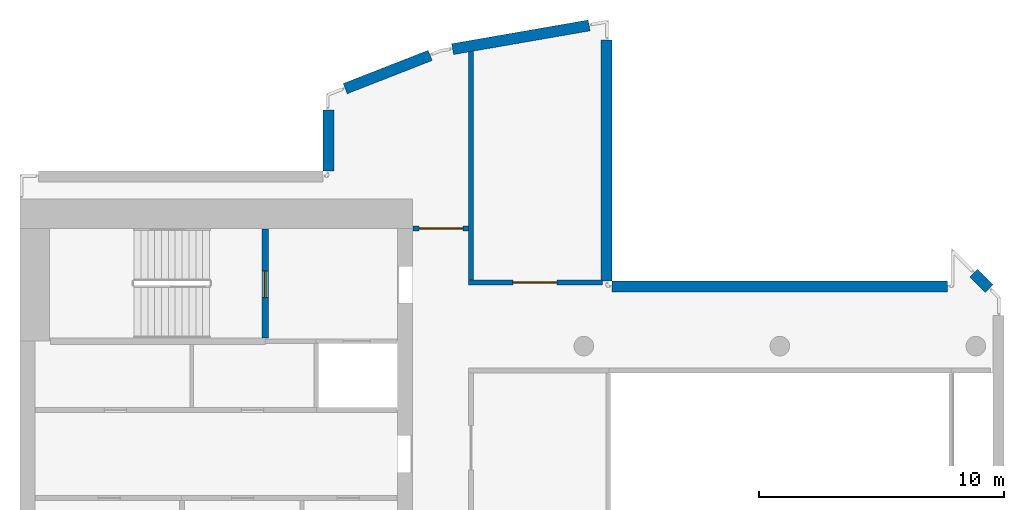
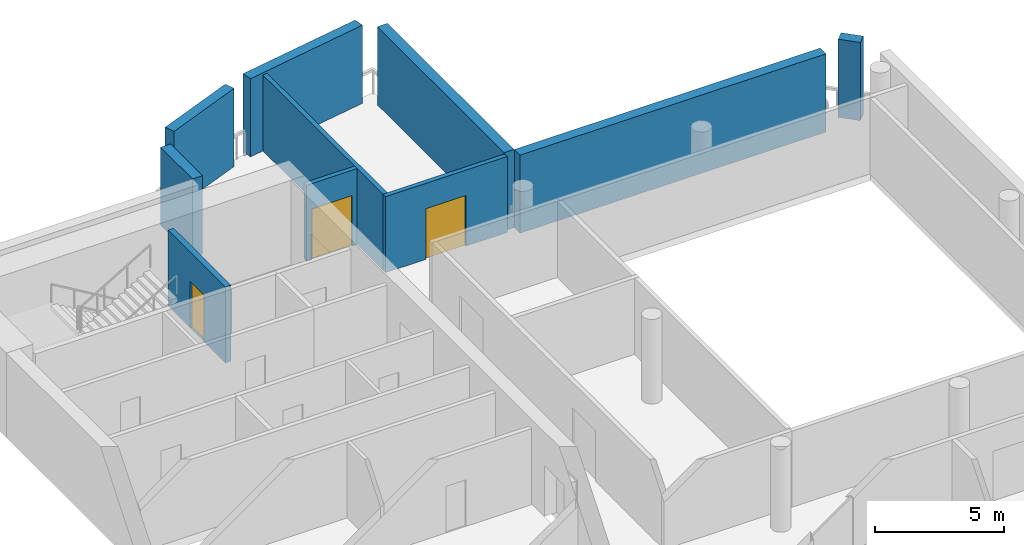
# One storey, part 3 of 8: 10 walls, 3 doors, 3 openings.
"""IFC4 building model written with IfcOpenShell, lengths in metres."""

from ifc_helpers import new_model, si_unit, direction, frame, frame_2d, origin, place, context, subcontext, project, spatial, rectangle, extrude, material, layer, layer_set, type_object, element, fill, save


model = new_model("IFC4")

# Units and contexts
model_context = context("Model", 3, precision=1e-05, world=origin(), true_north=direction((0.0, 1.0)))
body_context = subcontext(model_context, "Body", "Model", "MODEL_VIEW")
ifc_project = project(units=[si_unit("LENGTHUNIT", "METRE"), si_unit("AREAUNIT", "SQUARE_METRE"), si_unit("VOLUMEUNIT", "CUBIC_METRE"), si_unit("PLANEANGLEUNIT", "RADIAN"), si_unit("MASSUNIT", "GRAM", prefix="KILO")], contexts=[model_context])

# Site, building, storey
site_placement = place(None, origin())
site = spatial("IfcSite", under=ifc_project, at=site_placement, CompositionType="ELEMENT")
building_placement = place(site_placement, origin())
building = spatial("IfcBuilding", under=site, at=building_placement, Name="Cypress Arch Tower", CompositionType="ELEMENT")
storey_placement = place(building_placement, frame((0.0, 0.0, 351.0)))
storey = spatial("IfcBuildingStorey", under=building, at=storey_placement, Name="L80", CompositionType="ELEMENT", Elevation=351.0)

# Walls
ifc_material_1 = material(Name="Brick (red buff blend)", Category="masonry")
ifc_layer_1 = layer(ifc_material_1, 0.449951171875)
ifc_layer_set_1 = layer_set([ifc_layer_1], Name="Brick belt wall BW450-B")
wall_type_1 = type_object("IfcWallType", Name="Brick belt wall BW450-B", PredefinedType="SOLIDWALL", material=ifc_layer_set_1)
wall_1_placement = place(storey_placement, frame((9.541015625, 12.35302734375, 0.0), z_axis=(0.0, 0.0, 1.0), x_axis=(-0.707106781187, 0.707106781187, 0.0)))
element("IfcWall", 1, at=wall_1_placement, inside=storey, type_object=wall_type_1, Name="Brick wall L80 K11.0", PredefinedType="SOLIDWALL", context=body_context, shape_type="SweptSolid", body=[
    extrude(rectangle(XDim=0.8935546875, YDim=0.449951171875, at=frame_2d((0.44677734375, 0.0))), origin(), (0.0, 0.0, 1.0), 3.699951171875),
])
wall_2_placement = place(storey_placement, frame((7.85009765625, 12.425048828125, 0.0), z_axis=(0.0, 0.0, 1.0), x_axis=(-1.0, 0.0, 0.0)))
element("IfcWall", 2, at=wall_2_placement, inside=storey, type_object=wall_type_1, Name="Brick wall L80 K13.0", PredefinedType="SOLIDWALL", context=body_context, shape_type="SweptSolid", body=[
    extrude(rectangle(XDim=13.7001953125, YDim=0.449951171875, at=frame_2d((6.85009765625, 0.0))), origin(), (0.0, 0.0, 1.0), 3.699951171875),
])
wall_3_placement = place(storey_placement, frame((-6.074951171875, 12.64990234375, 0.0), z_axis=(0.0, 0.0, 1.0), x_axis=(0.0, 1.0, 0.0)))
element("IfcWall", 3, at=wall_3_placement, inside=storey, type_object=wall_type_1, Name="Brick wall L80 K14.0", PredefinedType="SOLIDWALL", context=body_context, shape_type="SweptSolid", body=[
    extrude(rectangle(XDim=9.836669921875, YDim=0.449951171875, at=frame_2d((4.91845703125, 0.0))), origin(), (0.0, 0.0, 1.0), 3.699951171875),
])
wall_4_placement = place(storey_placement, frame((-6.781982421875, 23.088134765625, 0.0), z_axis=(0.0, 0.0, 1.0), x_axis=(-0.985240251318, -0.171177239091, 0.0)))
element("IfcWall", 4, at=wall_4_placement, inside=storey, type_object=wall_type_1, Name="Brick wall L80 K15.0", PredefinedType="SOLIDWALL", context=body_context, shape_type="SweptSolid", body=[
    extrude(rectangle(XDim=5.656494140625, YDim=0.449951171875, at=frame_2d((2.828125, 0.0))), origin(), (0.0, 0.0, 1.0), 3.699951171875),
])
wall_5_placement = place(storey_placement, frame((-13.269775390625, 21.865234375, 0.0), z_axis=(0.0, 0.0, 1.0), x_axis=(-0.931207968362, -0.364488298384, 0.0)))
element("IfcWall", 5, at=wall_5_placement, inside=storey, type_object=wall_type_1, Name="Brick wall L80 K16.0", PredefinedType="SOLIDWALL", context=body_context, shape_type="SweptSolid", body=[
    extrude(rectangle(XDim=3.7255859375, YDim=0.449951171875, at=frame_2d((1.86279296875, 0.0))), origin(), (0.0, 0.0, 1.0), 3.699951171875),
])
wall_6_placement = place(storey_placement, frame((-17.425048828125, 19.63525390625, 0.0), z_axis=(0.0, 0.0, 1.0), x_axis=(0.0, -1.0, 0.0)))
element("IfcWall", 6, at=wall_6_placement, inside=storey, type_object=wall_type_1, Name="Brick wall L80 K17.0", PredefinedType="SOLIDWALL", context=body_context, shape_type="SweptSolid", body=[
    extrude(rectangle(XDim=2.4853515625, YDim=0.449951171875, at=frame_2d((1.24267578125, 0.0))), origin(), (0.0, 0.0, 1.0), 3.699951171875),
])

# Wall, opening, door
ifc_material_2 = material(Name="Reinforced blockwork, plastered, rated", Category="masonry")
ifc_layer_2 = layer(ifc_material_2, 0.199951171875)
ifc_layer_set_2 = layer_set([ifc_layer_2], Name="Plant and riser wall PL200")
wall_type_2 = type_object("IfcWallType", Name="Plant and riser wall PL200", PredefinedType="PARTITIONING", material=ifc_layer_set_2)
wall_7_placement = place(storey_placement, frame((-13.969970703125, 14.800048828125, 0.0), z_axis=(0.0, 0.0, 1.0), x_axis=(1.0, 0.0, 0.0)))
wall_7 = element("IfcWall", 7, at=wall_7_placement, inside=storey, type_object=wall_type_2, Name="Plant and riser wall", PredefinedType="PARTITIONING", context=body_context, shape_type="SweptSolid", body=[
    extrude(rectangle(XDim=2.27001953125, YDim=0.199951171875, at=frame_2d((1.135009765625, 0.0))), origin(), (0.0, 0.0, 1.0), 3.597900390625),
])
opening_1_placement = place(wall_7_placement, frame((0.25, 0.0, 0.0)))
opening_1 = element("IfcOpeningElement", 8, at=opening_1_placement, cuts=wall_7, Name="Opening D09", PredefinedType="OPENING", context=body_context, shape_type="SweptSolid", body=[
    extrude(rectangle(XDim=1.800048828125, YDim=2.39990234375, at=frame_2d((0.89990234375, 1.199951171875))), frame((0.0, 0.10986328125, 0.0), z_axis=(0.0, -1.0, 0.0), x_axis=(1.0, 0.0, 0.0)), (0.0, 0.0, 1.0), 0.219970703125),
])
ifc_material_3 = material(Name="Steel door, fire resisting", Category="steel")
door_type_1 = type_object("IfcDoorType", Name="Plant room door D09 1800x2400", OperationType="DOUBLE_DOOR_SINGLE_SWING", PredefinedType="DOOR", material=ifc_material_3)
door_1_placement = place(opening_1_placement, origin())
door_1 = element("IfcDoor", 9, at=door_1_placement, inside=storey, type_object=door_type_1, Name="Plant room door", OperationType="DOUBLE_DOOR_SINGLE_SWING", OverallHeight=2.39990234375, OverallWidth=1.800048828125, PredefinedType="DOOR", context=body_context, shape_type="SweptSolid", body=[
    extrude(rectangle(XDim=1.800048828125, YDim=2.39990234375, at=frame_2d((0.89990234375, 1.199951171875))), frame((0.0, 0.02490234375, 0.0), z_axis=(0.0, -1.0, 0.0), x_axis=(1.0, 0.0, 0.0)), (0.0, 0.0, 1.0), 0.050048828125),
])
fill(opening_1, door_1)

# Wall
wall_8_placement = place(storey_placement, frame((-11.60009765625, 12.700927734375, 0.0), z_axis=(0.0, 0.0, 1.0), x_axis=(0.0, 1.0, 0.0)))
element("IfcWall", 10, at=wall_8_placement, inside=storey, type_object=wall_type_2, Name="Plant and riser wall", PredefinedType="PARTITIONING", context=body_context, shape_type="SweptSolid", body=[
    extrude(rectangle(XDim=9.32177734375, YDim=0.199951171875, at=frame_2d((4.660888671875, 0.0))), origin(), (0.0, 0.0, 1.0), 3.597900390625),
])

# Wall, opening, door
wall_9_placement = place(storey_placement, frame((-11.698974609375, 12.60009765625, 0.0), z_axis=(0.0, 0.0, 1.0), x_axis=(1.0, 0.0, 0.0)))
wall_9 = element("IfcWall", 11, at=wall_9_placement, inside=storey, type_object=wall_type_2, Name="Plant and riser wall", PredefinedType="PARTITIONING", context=body_context, shape_type="SweptSolid", body=[
    extrude(rectangle(XDim=5.453857421875, YDim=0.199951171875, at=frame_2d((2.72705078125, 0.0))), origin(), (0.0, 0.0, 1.0), 3.597900390625),
])
opening_2_placement = place(wall_9_placement, frame((1.800048828125, 0.0, 0.0)))
opening_2 = element("IfcOpeningElement", 12, at=opening_2_placement, cuts=wall_9, Name="Opening D09", PredefinedType="OPENING", context=body_context, shape_type="SweptSolid", body=[
    extrude(rectangle(XDim=1.800048828125, YDim=2.39990234375, at=frame_2d((0.89990234375, 1.199951171875))), frame((0.0, 0.10986328125, 0.0), z_axis=(0.0, -1.0, 0.0), x_axis=(1.0, 0.0, 0.0)), (0.0, 0.0, 1.0), 0.219970703125),
])
door_2_placement = place(opening_2_placement, origin())
door_2 = element("IfcDoor", 13, at=door_2_placement, inside=storey, type_object=door_type_1, Name="Plant room door", OperationType="DOUBLE_DOOR_SINGLE_SWING", OverallHeight=2.39990234375, OverallWidth=1.800048828125, PredefinedType="DOOR", context=body_context, shape_type="SweptSolid", body=[
    extrude(rectangle(XDim=1.800048828125, YDim=2.39990234375, at=frame_2d((0.89990234375, 1.199951171875))), frame((0.0, 0.02490234375, 0.0), z_axis=(0.0, -1.0, 0.0), x_axis=(1.0, 0.0, 0.0)), (0.0, 0.0, 1.0), 0.050048828125),
])
fill(opening_2, door_2)

ifc_material_4 = material(Name="Concrete C50/60", Category="concrete")
ifc_layer_3 = layer(ifc_material_4, 0.25)
ifc_layer_set_3 = layer_set([ifc_layer_3], Name="Stair enclosure wall SW250")
wall_type_3 = type_object("IfcWallType", Name="Stair enclosure wall SW250", PredefinedType="SHEAR", material=ifc_layer_set_3)
wall_10_placement = place(storey_placement, frame((-20.0, 10.324951171875, 0.0), z_axis=(0.0, 0.0, 1.0), x_axis=(0.0, 1.0, 0.0)))
wall_10 = element("IfcWall", 14, at=wall_10_placement, inside=storey, type_object=wall_type_3, Name="Stair enclosure wall", PredefinedType="SHEAR", context=body_context, shape_type="SweptSolid", body=[
    extrude(rectangle(XDim=4.445068359375, YDim=0.25, at=frame_2d((2.22265625, 0.0))), origin(), (0.0, 0.0, 1.0), 3.597900390625),
])
opening_3_placement = place(wall_10_placement, frame((1.64990234375, 0.0, 0.0)))
opening_3 = element("IfcOpeningElement", 15, at=opening_3_placement, cuts=wall_10, Name="Opening D06", PredefinedType="OPENING", context=body_context, shape_type="SweptSolid", body=[
    extrude(rectangle(XDim=1.10009765625, YDim=2.199951171875, at=frame_2d((0.550048828125, 1.10009765625))), frame((0.0, 0.135009765625, 0.0), z_axis=(0.0, -1.0, 0.0), x_axis=(1.0, 0.0, 0.0)), (0.0, 0.0, 1.0), 0.27001953125),
])
ifc_material_5 = material(Name="Steel door, fire resisting, panic bar", Category="steel")
door_type_2 = type_object("IfcDoorType", Name="Stair door D06 1100x2200", OperationType="SINGLE_SWING_LEFT", PredefinedType="DOOR", material=ifc_material_5)
door_3_placement = place(opening_3_placement, origin())
door_3 = element("IfcDoor", 16, at=door_3_placement, inside=storey, type_object=door_type_2, Name="Stair door", OperationType="SINGLE_SWING_LEFT", OverallHeight=2.199951171875, OverallWidth=1.10009765625, PredefinedType="DOOR", context=body_context, shape_type="SweptSolid", body=[
    extrude(rectangle(XDim=1.10009765625, YDim=2.199951171875, at=frame_2d((0.550048828125, 1.10009765625))), frame((0.0, 0.02490234375, 0.0), z_axis=(0.0, -1.0, 0.0), x_axis=(1.0, 0.0, 0.0)), (0.0, 0.0, 1.0), 0.050048828125),
])
fill(opening_3, door_3)

save(model, "model.ifc")
